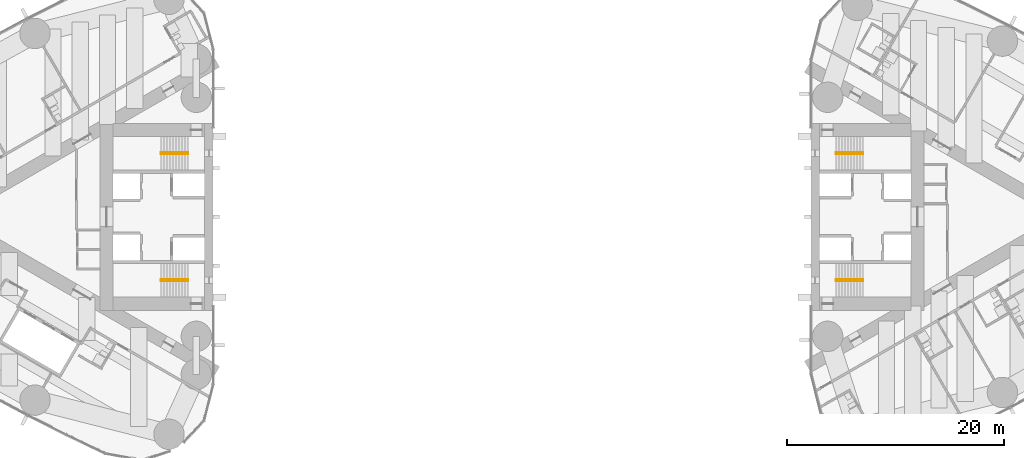
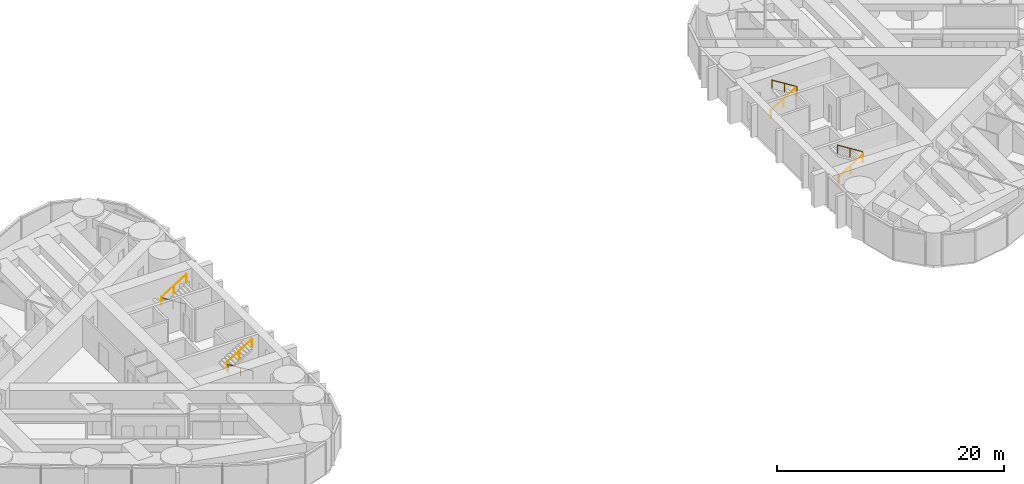
# One storey, part 18 of 19: 8 railings.
"""IFC4 building model written with IfcOpenShell, lengths in metres."""

import ifcopenshell
import ifcopenshell.guid

model = None  # the IFC model being written
_history = None  # IfcOwnerHistory: only IFC2X3 demands one
_inside = {}  # id of a spatial element -> (the spatial element, [elements in it])
_under = {}  # id of a project, library or spatial element -> (it, [spatial elements below it])
_declared = {}  # id of a project -> (the project, [libraries it declares])
_typed = {}  # id of a type object -> (the type object, [elements of that type])
_made_of = {}  # id of a material, layer set ... -> (it, [elements and type objects made of it])


def new_model(schema):
    """Start an empty IFC model of exactly this schema.

    Asked for "IFC4X3", IfcOpenShell would pick the latest addendum, in which some entities
    have other attributes; the version numbers below select the first issue.
    IFC2X3 requires an IfcOwnerHistory on every rooted entity: one is made here for all.
    """
    global model, _history
    if schema == "IFC4X3":
        model = ifcopenshell.file(schema_version=(4, 3, 0, 0))
    else:
        model = ifcopenshell.file(schema=schema)
    _inside.clear()
    _under.clear()
    _declared.clear()
    _typed.clear()
    _made_of.clear()
    _history = None
    if model.schema == "IFC2X3":
        org = make("IfcOrganization", Name="unknown")
        user = make(
            "IfcPersonAndOrganization",
            ThePerson=make("IfcPerson", FamilyName="unknown"),
            TheOrganization=org,
        )
        app = make(
            "IfcApplication",
            ApplicationDeveloper=org,
            Version="unknown",
            ApplicationFullName="unknown",
            ApplicationIdentifier="unknown",
        )
        _history = make(
            "IfcOwnerHistory",
            OwningUser=user,
            OwningApplication=app,
            ChangeAction="ADDED",
            CreationDate=0,
        )
    return model


def make(cls, **values):
    """One entity of the class cls with the attributes given. An attribute that is None is left unset."""
    return model.create_entity(
        cls, **{name: value for name, value in values.items() if value is not None}
    )


def rooted(cls, **values):
    """An entity with a GlobalId (a new one), such as an element, a storey or a relation."""
    return make(cls, GlobalId=ifcopenshell.guid.new(), OwnerHistory=_history, **values)


def si_unit(unit_type, name, prefix=None):
    """IfcSIUnit, for example si_unit("LENGTHUNIT", "METRE", prefix="MILLI")."""
    return make("IfcSIUnit", UnitType=unit_type, Prefix=prefix, Name=name)


def assignment(units):
    """IfcUnitAssignment: the units of a project."""
    return None if units is None else make("IfcUnitAssignment", Units=units)


def point(xyz):
    """IfcCartesianPoint."""
    return None if xyz is None else make("IfcCartesianPoint", Coordinates=xyz)


def direction(xyz):
    """IfcDirection."""
    return None if xyz is None else make("IfcDirection", DirectionRatios=xyz)


def frame(location, z_axis=None, x_axis=None):
    """IfcAxis2Placement3D, a coordinate frame: its origin and axes. An axis left out is left unset."""
    return make(
        "IfcAxis2Placement3D",
        Location=point(location),
        Axis=direction(z_axis),
        RefDirection=direction(x_axis),
    )


def frame_2d(location, x_axis=None):
    """IfcAxis2Placement2D, a coordinate frame in the plane: its origin and x axis."""
    return make(
        "IfcAxis2Placement2D", Location=point(location), RefDirection=direction(x_axis)
    )


def origin():
    """The frame at (0, 0, 0) with its axes left unset."""
    return frame((0.0, 0.0, 0.0))


def origin_2d():
    """The frame at (0, 0) in the plane with its x axis left unset."""
    return frame_2d((0.0, 0.0))


def place(relative_to, where):
    """IfcLocalPlacement: puts the frame where relative to a parent placement (None: the world)."""
    return make(
        "IfcLocalPlacement", PlacementRelTo=relative_to, RelativePlacement=where
    )


def context(
    kind, dimensions, precision=None, world=None, true_north=None, identifier=None
):
    """IfcGeometricRepresentationContext, for example the 3D "Model" context."""
    return make(
        "IfcGeometricRepresentationContext",
        ContextIdentifier=identifier,
        ContextType=kind,
        CoordinateSpaceDimension=dimensions,
        Precision=precision,
        WorldCoordinateSystem=world,
        TrueNorth=true_north,
    )


def subcontext(parent, identifier, kind, view, scale=None):
    """IfcGeometricRepresentationSubContext, for example "Body" below "Model"."""
    return make(
        "IfcGeometricRepresentationSubContext",
        ContextIdentifier=identifier,
        ContextType=kind,
        ParentContext=parent,
        TargetScale=scale,
        TargetView=view,
    )


def project(units=None, contexts=None):
    """IfcProject with its units and contexts."""
    return rooted(
        "IfcProject",
        Name="project",
        RepresentationContexts=contexts,
        UnitsInContext=assignment(units),
    )


def spatial(cls, under=None, at=None, **own):
    """A site, building, storey or space (cls), placed at a placement, below another one or the project."""
    s = rooted(cls, ObjectPlacement=at, **own)
    if under is not None:
        _under.setdefault(under.id(), (under, []))[1].append(s)
    return s


def profile(cls, at=None, kind="AREA", **sizes):
    """A parametric profile (cls). Its sizes go by their IFC names, for example OverallWidth=200.0."""
    return make(cls, ProfileType=kind, Position=at, **sizes)


def circle(**sizes):
    """IfcCircleProfileDef."""
    return profile("IfcCircleProfileDef", **sizes)


def extrude(swept, where, along, depth):
    """IfcExtrudedAreaSolid: the profile swept, set in the frame where, extruded along a direction by depth."""
    return make(
        "IfcExtrudedAreaSolid",
        SweptArea=swept,
        Position=where,
        ExtrudedDirection=direction(along),
        Depth=depth,
    )


def shape(context_of_items, identifier, shape_type, items):
    """IfcShapeRepresentation: the items that make up one representation, for example the "Body"."""
    return make(
        "IfcShapeRepresentation",
        ContextOfItems=context_of_items,
        RepresentationIdentifier=identifier,
        RepresentationType=shape_type,
        Items=items,
    )


def material(Name=None, Category=None):
    """IfcMaterial."""
    return make("IfcMaterial", Name=Name, Category=Category)


def made_of(thing, what):
    """Note that an element or type object is made of a material, layer set ...; save() writes the relation."""
    if what is not None:
        _made_of.setdefault(what.id(), (what, []))[1].append(thing)
    return thing


def type_object(cls, material=None, **own):
    """A type object (cls), such as IfcWallType, which elements share."""
    return made_of(rooted(cls, **own), material)


def element(
    cls,
    number,
    at=None,
    inside=None,
    cuts=None,
    type_object=None,
    material=None,
    context=None,
    identifier="Body",
    shape_type=None,
    held_by="IfcProductDefinitionShape",
    body=None,
    shapes=None,
    **own,
):
    """One element of the class cls, such as IfcWall. Its Tag is "e" and its number.

    at: its placement. inside: the storey or other place that contains it. cuts: it is an
    opening in that element (IfcRelVoidsElement). A single representation is given by context,
    identifier, shape_type and body (its items); several are given by shapes. held_by: the class
    of the entity that holds the representations. save() writes the other relations.
    """
    e = rooted(cls, Tag="e%d" % number, ObjectPlacement=at, **own)
    if body is not None:
        shapes = [shape(context, identifier, shape_type, body)]
    if shapes is not None:
        e.Representation = make(held_by, Representations=shapes)
    if inside is not None:
        _inside.setdefault(inside.id(), (inside, []))[1].append(e)
    if cuts is not None:
        rooted(
            "IfcRelVoidsElement", RelatingBuildingElement=cuts, RelatedOpeningElement=e
        )
    if type_object is not None:
        _typed.setdefault(type_object.id(), (type_object, []))[1].append(e)
    return made_of(e, material)


def aggregate(whole, parts):
    """IfcRelAggregates: a whole, such as a stair, and the parts it consists of."""
    return rooted("IfcRelAggregates", RelatingObject=whole, RelatedObjects=parts)


def save(model, path):
    """Write the relations noted so far, then the file.

    IfcRelAggregates (storeys below a building ...), IfcRelContainedInSpatialStructure (elements
    in a storey), IfcRelDefinesByType, IfcRelAssociatesMaterial and IfcRelDeclares: one each for
    every whole, place, type object, material and project.
    """
    for whole, parts in _under.values():
        aggregate(whole, parts)
    for where, things in _inside.values():
        rooted(
            "IfcRelContainedInSpatialStructure",
            RelatedElements=things,
            RelatingStructure=where,
        )
    for kind, things in _typed.values():
        rooted("IfcRelDefinesByType", RelatedObjects=things, RelatingType=kind)
    for what, things in _made_of.values():
        rooted("IfcRelAssociatesMaterial", RelatedObjects=things, RelatingMaterial=what)
    for by, libraries in _declared.values():
        rooted("IfcRelDeclares", RelatingContext=by, RelatedDefinitions=libraries)
    model.write(path)


model = new_model("IFC4")

# Units and contexts
model_context = context("Model", 3, precision=1e-05, world=origin(), true_north=direction((0.0, 1.0)))
body_context = subcontext(model_context, "Body", "Model", "MODEL_VIEW")
ifc_project = project(units=[si_unit("LENGTHUNIT", "METRE"), si_unit("AREAUNIT", "SQUARE_METRE"), si_unit("VOLUMEUNIT", "CUBIC_METRE"), si_unit("PLANEANGLEUNIT", "RADIAN"), si_unit("MASSUNIT", "GRAM", prefix="KILO")], contexts=[model_context])

# Site, building, storey
site_placement = place(None, origin())
site = spatial("IfcSite", under=ifc_project, at=site_placement, CompositionType="ELEMENT")
building_placement = place(site_placement, origin())
building = spatial("IfcBuilding", under=site, at=building_placement, Name="Lancet Gate Hotel", CompositionType="ELEMENT")
storey_placement = place(building_placement, frame((0.0, 0.0, 194.800048828125)))
storey = spatial("IfcBuildingStorey", under=building, at=storey_placement, Name="L52", CompositionType="ELEMENT", Elevation=194.800048828125)

# Railings
ifc_material = material(Name="Stainless steel handrail", Category="steel")
railing_type = type_object("IfcRailingType", Name="Stair handrail 900", PredefinedType="HANDRAIL", material=ifc_material)
railing_1_placement = place(storey_placement, frame((-29.800048828125, 5.929931640625, 0.175048828125)))
element("IfcRailing", 1, at=railing_1_placement, inside=storey, type_object=railing_type, Name="ST1 handrail flight 1 L52", PredefinedType="HANDRAIL", context=body_context, shape_type="SweptSolid", body=[
    extrude(circle(Radius=0.02392578125, at=origin_2d()), frame((0.0, 0.0, 0.8759765625), z_axis=(-0.848007534815, 0.0, 0.529984170421), x_axis=(0.0, -1.0, 0.0)), (0.0, 0.0, 1.0), 2.9716796875),
    extrude(circle(Radius=0.02099609375, at=origin_2d()), origin(), (0.0, 0.0, 1.0), 0.851806640625),
    extrude(circle(Radius=0.02099609375, at=origin_2d()), frame((-1.260009765625, 0.0, 0.78759765625)), (0.0, 0.0, 1.0), 0.851806640625),
    extrude(circle(Radius=0.02099609375, at=origin_2d()), frame((-2.52001953125, 0.0, 1.574951171875)), (0.0, 0.0, 1.0), 0.851806640625),
])
railing_2_placement = place(storey_placement, frame((-32.320068359375, 5.77001953125, 1.925048828125)))
element("IfcRailing", 2, at=railing_2_placement, inside=storey, type_object=railing_type, Name="ST1 handrail flight 2 L52", PredefinedType="HANDRAIL", context=body_context, shape_type="SweptSolid", body=[
    extrude(circle(Radius=0.02392578125, at=origin_2d()), frame((0.0, 0.0, 0.8759765625), z_axis=(0.848007534815, 0.0, 0.529984170421), x_axis=(0.0, 1.0, 0.0)), (0.0, 0.0, 1.0), 2.9716796875),
    extrude(circle(Radius=0.02099609375, at=origin_2d()), origin(), (0.0, 0.0, 1.0), 0.851806640625),
    extrude(circle(Radius=0.02099609375, at=origin_2d()), frame((1.260009765625, 0.0, 0.78759765625)), (0.0, 0.0, 1.0), 0.851806640625),
    extrude(circle(Radius=0.02099609375, at=origin_2d()), frame((2.52001953125, 0.0, 1.574951171875)), (0.0, 0.0, 1.0), 0.851806640625),
])
railing_3_placement = place(storey_placement, frame((-29.800048828125, -5.929931640625, 0.175048828125)))
element("IfcRailing", 3, at=railing_3_placement, inside=storey, type_object=railing_type, Name="ST2 handrail flight 1 L52", PredefinedType="HANDRAIL", context=body_context, shape_type="SweptSolid", body=[
    extrude(circle(Radius=0.02392578125, at=origin_2d()), frame((0.0, 0.0, 0.8759765625), z_axis=(-0.848007534815, 0.0, 0.529984170421), x_axis=(0.0, -1.0, 0.0)), (0.0, 0.0, 1.0), 2.9716796875),
    extrude(circle(Radius=0.02099609375, at=origin_2d()), origin(), (0.0, 0.0, 1.0), 0.851806640625),
    extrude(circle(Radius=0.02099609375, at=origin_2d()), frame((-1.260009765625, 0.0, 0.78759765625)), (0.0, 0.0, 1.0), 0.851806640625),
    extrude(circle(Radius=0.02099609375, at=origin_2d()), frame((-2.52001953125, 0.0, 1.574951171875)), (0.0, 0.0, 1.0), 0.851806640625),
])
for number, where, name in (
    (4, (-32.320068359375, -5.77001953125, 1.925048828125), "ST2 handrail flight 2 L52"),
    (5, (29.800048828125, -5.929931640625, 0.175048828125), "ST3 handrail flight 1 L52"),
):
    element("IfcRailing", number, at=place(storey_placement, frame(where)), inside=storey, type_object=railing_type, Name=name, PredefinedType="HANDRAIL", context=body_context, shape_type="SweptSolid", body=[
        extrude(circle(Radius=0.02392578125, at=origin_2d()), frame((0.0, 0.0, 0.8759765625), z_axis=(0.848007534815, 0.0, 0.529984170421), x_axis=(0.0, 1.0, 0.0)), (0.0, 0.0, 1.0), 2.9716796875),
        extrude(circle(Radius=0.02099609375, at=origin_2d()), origin(), (0.0, 0.0, 1.0), 0.851806640625),
        extrude(circle(Radius=0.02099609375, at=origin_2d()), frame((1.260009765625, 0.0, 0.78759765625)), (0.0, 0.0, 1.0), 0.851806640625),
        extrude(circle(Radius=0.02099609375, at=origin_2d()), frame((2.52001953125, 0.0, 1.574951171875)), (0.0, 0.0, 1.0), 0.851806640625),
    ])
railing_4_placement = place(storey_placement, frame((32.320068359375, -5.77001953125, 1.925048828125)))
element("IfcRailing", 6, at=railing_4_placement, inside=storey, type_object=railing_type, Name="ST3 handrail flight 2 L52", PredefinedType="HANDRAIL", context=body_context, shape_type="SweptSolid", body=[
    extrude(circle(Radius=0.02392578125, at=origin_2d()), frame((0.0, 0.0, 0.8759765625), z_axis=(-0.848007534815, 0.0, 0.529984170421), x_axis=(0.0, -1.0, 0.0)), (0.0, 0.0, 1.0), 2.9716796875),
    extrude(circle(Radius=0.02099609375, at=origin_2d()), origin(), (0.0, 0.0, 1.0), 0.851806640625),
    extrude(circle(Radius=0.02099609375, at=origin_2d()), frame((-1.260009765625, 0.0, 0.78759765625)), (0.0, 0.0, 1.0), 0.851806640625),
    extrude(circle(Radius=0.02099609375, at=origin_2d()), frame((-2.52001953125, 0.0, 1.574951171875)), (0.0, 0.0, 1.0), 0.851806640625),
])
railing_5_placement = place(storey_placement, frame((29.800048828125, 5.929931640625, 0.175048828125)))
element("IfcRailing", 7, at=railing_5_placement, inside=storey, type_object=railing_type, Name="ST4 handrail flight 1 L52", PredefinedType="HANDRAIL", context=body_context, shape_type="SweptSolid", body=[
    extrude(circle(Radius=0.02392578125, at=origin_2d()), frame((0.0, 0.0, 0.8759765625), z_axis=(0.848007534815, 0.0, 0.529984170421), x_axis=(0.0, 1.0, 0.0)), (0.0, 0.0, 1.0), 2.9716796875),
    extrude(circle(Radius=0.02099609375, at=origin_2d()), origin(), (0.0, 0.0, 1.0), 0.851806640625),
    extrude(circle(Radius=0.02099609375, at=origin_2d()), frame((1.260009765625, 0.0, 0.78759765625)), (0.0, 0.0, 1.0), 0.851806640625),
    extrude(circle(Radius=0.02099609375, at=origin_2d()), frame((2.52001953125, 0.0, 1.574951171875)), (0.0, 0.0, 1.0), 0.851806640625),
])
railing_6_placement = place(storey_placement, frame((32.320068359375, 5.77001953125, 1.925048828125)))
element("IfcRailing", 8, at=railing_6_placement, inside=storey, type_object=railing_type, Name="ST4 handrail flight 2 L52", PredefinedType="HANDRAIL", context=body_context, shape_type="SweptSolid", body=[
    extrude(circle(Radius=0.02392578125, at=origin_2d()), frame((0.0, 0.0, 0.8759765625), z_axis=(-0.848007534815, 0.0, 0.529984170421), x_axis=(0.0, -1.0, 0.0)), (0.0, 0.0, 1.0), 2.9716796875),
    extrude(circle(Radius=0.02099609375, at=origin_2d()), origin(), (0.0, 0.0, 1.0), 0.851806640625),
    extrude(circle(Radius=0.02099609375, at=origin_2d()), frame((-1.260009765625, 0.0, 0.78759765625)), (0.0, 0.0, 1.0), 0.851806640625),
    extrude(circle(Radius=0.02099609375, at=origin_2d()), frame((-2.52001953125, 0.0, 1.574951171875)), (0.0, 0.0, 1.0), 0.851806640625),
])

save(model, "model.ifc")
